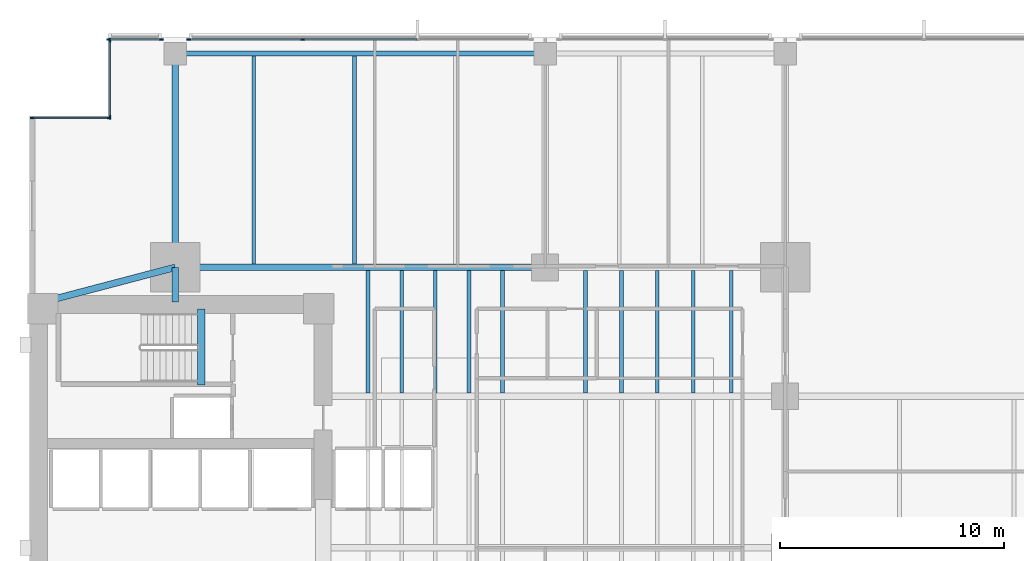
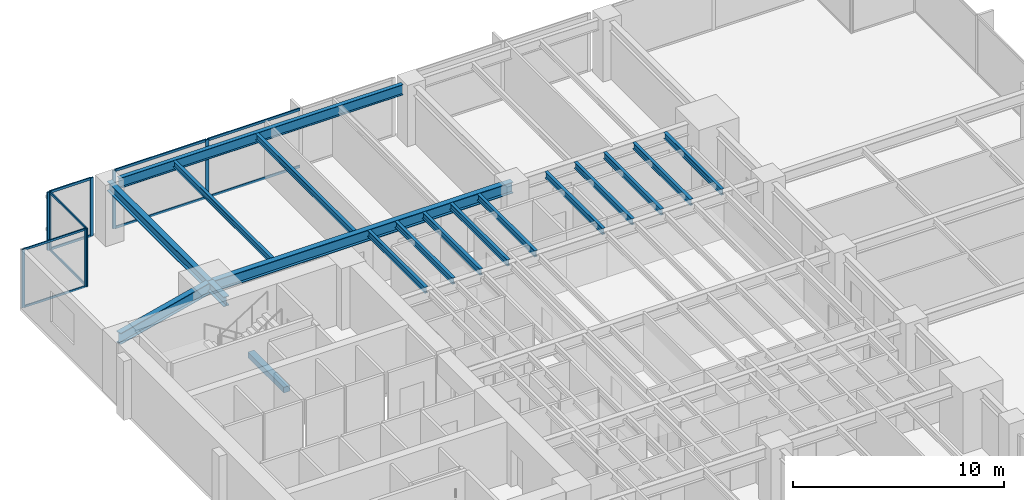
# One storey, part 5 of 15: 18 beams, 18 members, 4 elements without a shape of their own.
"""IFC4 building model written with IfcOpenShell, lengths in metres."""

from ifc_helpers import new_model, si_unit, direction, frame, origin, origin_2d, place, context, subcontext, project, spatial, rectangle, i_section, extrude, material, layer, layer_set, material_profile, profile_set, type_object, element, aggregate, save


model = new_model("IFC4")

# Units and contexts
model_context = context("Model", 3, precision=1e-05, world=origin(), true_north=direction((0.0, 1.0)))
body_context = subcontext(model_context, "Body", "Model", "MODEL_VIEW")
ifc_project = project(units=[si_unit("LENGTHUNIT", "METRE"), si_unit("AREAUNIT", "SQUARE_METRE"), si_unit("VOLUMEUNIT", "CUBIC_METRE"), si_unit("PLANEANGLEUNIT", "RADIAN"), si_unit("MASSUNIT", "GRAM", prefix="KILO")], contexts=[model_context])

# Site, building, storey
site_placement = place(None, origin())
site = spatial("IfcSite", under=ifc_project, at=site_placement, CompositionType="ELEMENT")
building_placement = place(site_placement, origin())
building = spatial("IfcBuilding", under=site, at=building_placement, Name="Kinhvarn Gate Tower", CompositionType="ELEMENT")
storey_placement = place(building_placement, frame((0.0, 0.0, 61.10009765625)))
storey = spatial("IfcBuildingStorey", under=building, at=storey_placement, Name="L15", CompositionType="ELEMENT", Elevation=61.10009765625)

# Beam
ifc_material_1 = material(Name="Concrete C50/60", Category="concrete")
ifc_material_profile_1 = material_profile(ifc_material_1, rectangle(XDim=0.340087890625, YDim=0.320068359375, at=origin_2d()), Name="RC 340x320")
ifc_profile_set_1 = profile_set([ifc_material_profile_1], Name="Concrete C50/60")
beam_type_1 = type_object("IfcBeamType", Name="BM-LND-500", PredefinedType="BEAM", material=ifc_profile_set_1)
beam_1_placement = place(storey_placement, frame((12.1650390625, 32.5, -0.16015625), z_axis=(0.0, 1.0, 0.0), x_axis=(-1.0, 0.0, 0.0)))
element("IfcBeam", 1, at=beam_1_placement, inside=storey, type_object=beam_type_1, Name="Stair ST2 Landing Nosing Beam (L15)", PredefinedType="BEAM", context=body_context, shape_type="SweptSolid", body=[
    extrude(rectangle(XDim=0.340087890625, YDim=0.320068359375, at=origin_2d()), origin(), (0.0, 0.0, 1.0), 3.39990234375),
])

# Curtain wall, members
ifc_material_2 = material(Name="Anodised aluminium AW-6063", Category="aluminium")
ifc_layer_1 = layer(ifc_material_2, 0.179931640625)
ifc_layer_set_1 = layer_set([ifc_layer_1], Name="Anodised aluminium AW-6063")
curtain_wall_type_1 = type_object("IfcCurtainWallType", Name="CW-SYS-4", PredefinedType="NOTDEFINED", material=ifc_layer_set_1)
curtain_wall_1_placement = place(storey_placement, origin())
curtain_wall_1 = element("IfcCurtainWall", 2, at=curtain_wall_1_placement, inside=storey, type_object=curtain_wall_type_1, Name="Curtain Wall CW4 (L15)", PredefinedType="NOTDEFINED")
ifc_material_profile_2 = material_profile(ifc_material_2, rectangle(XDim=0.06494140625, YDim=0.159912109375, at=origin_2d()), Name="ALU 65x160")
ifc_profile_set_2 = profile_set([ifc_material_profile_2], Name="Anodised aluminium AW-6063")
member_type_1 = type_object("IfcMemberType", Name="CW-MUL-160", PredefinedType="MULLION", material=ifc_profile_set_2)
member_1_placement = place(storey_placement, frame((8.090087890625, 47.87744140625, 0.0), z_axis=(0.0, 0.0, 1.0), x_axis=(1.0, 0.0, 0.0)))
member_1 = element("IfcMember", 3, at=member_1_placement, type_object=member_type_1, Name="CW4 mullion 1", PredefinedType="MULLION", context=body_context, shape_type="SweptSolid", body=[
    extrude(rectangle(XDim=0.06494140625, YDim=0.159912109375, at=origin_2d()), origin(), (0.0, 0.0, 1.0), 3.369873046875),
])
member_2_placement = place(storey_placement, frame((8.090087890625, 44.4423828125, 0.0), z_axis=(0.0, 0.0, 1.0), x_axis=(1.0, 0.0, 0.0)))
member_2 = element("IfcMember", 4, at=member_2_placement, type_object=member_type_1, Name="CW4 mullion 2", PredefinedType="MULLION", context=body_context, shape_type="SweptSolid", body=[
    extrude(rectangle(XDim=0.06494140625, YDim=0.159912109375, at=origin_2d()), origin(), (0.0, 0.0, 1.0), 3.369873046875),
])

curtain_wall_2_placement = place(storey_placement, origin())
curtain_wall_2 = element("IfcCurtainWall", 5, at=curtain_wall_2_placement, inside=storey, type_object=curtain_wall_type_1, Name="Curtain Wall CW4 (L15)", PredefinedType="NOTDEFINED")
member_3_placement = place(storey_placement, frame((8.0576171875, 44.409912109375, 0.0), z_axis=(0.0, 0.0, 1.0), x_axis=(0.0, -1.0, 0.0)))
member_3 = element("IfcMember", 6, at=member_3_placement, type_object=member_type_1, Name="CW4 mullion 1", PredefinedType="MULLION", context=body_context, shape_type="SweptSolid", body=[
    extrude(rectangle(XDim=0.06494140625, YDim=0.159912109375, at=origin_2d()), origin(), (0.0, 0.0, 1.0), 3.369873046875),
])
member_4_placement = place(storey_placement, frame((4.62255859375, 44.409912109375, 0.0), z_axis=(0.0, 0.0, 1.0), x_axis=(0.0, -1.0, 0.0)))
member_4 = element("IfcMember", 7, at=member_4_placement, type_object=member_type_1, Name="CW4 mullion 2", PredefinedType="MULLION", context=body_context, shape_type="SweptSolid", body=[
    extrude(rectangle(XDim=0.06494140625, YDim=0.159912109375, at=origin_2d()), origin(), (0.0, 0.0, 1.0), 3.369873046875),
])

ifc_layer_2 = layer(ifc_material_2, 0.179931640625)
ifc_layer_set_2 = layer_set([ifc_layer_2], Name="Anodised aluminium AW-6063")
curtain_wall_type_2 = type_object("IfcCurtainWallType", Name="CW-SYS-2", PredefinedType="NOTDEFINED", material=ifc_layer_set_2)
curtain_wall_3_placement = place(storey_placement, origin())
curtain_wall_3 = element("IfcCurtainWall", 8, at=curtain_wall_3_placement, inside=storey, type_object=curtain_wall_type_2, Name="Curtain Wall CW2 (L15)", PredefinedType="NOTDEFINED")
ifc_material_profile_3 = material_profile(ifc_material_2, rectangle(XDim=0.070068359375, YDim=0.179931640625, at=origin_2d()), Name="ALU 70x180")
ifc_profile_set_3 = profile_set([ifc_material_profile_3], Name="Anodised aluminium AW-6063")
member_type_2 = type_object("IfcMemberType", Name="CW-MUL-180", PredefinedType="MULLION", material=ifc_profile_set_3)
member_5_placement = place(storey_placement, frame((16.693359375, 47.909912109375, 0.0), z_axis=(0.0, 0.0, 1.0), x_axis=(0.0, -1.0, 0.0)))
member_5 = element("IfcMember", 9, at=member_5_placement, type_object=member_type_2, Name="CW2 mullion 3", PredefinedType="MULLION", context=body_context, shape_type="SweptSolid", body=[
    extrude(rectangle(XDim=0.070068359375, YDim=0.179931640625, at=origin_2d()), origin(), (0.0, 0.0, 1.0), 3.369873046875),
])
member_6_placement = place(storey_placement, frame((11.614990234375, 47.909912109375, 0.0), z_axis=(0.0, 0.0, 1.0), x_axis=(0.0, -1.0, 0.0)))
member_6 = element("IfcMember", 10, at=member_6_placement, type_object=member_type_2, Name="CW2 mullion 4", PredefinedType="MULLION", context=body_context, shape_type="SweptSolid", body=[
    extrude(rectangle(XDim=0.070068359375, YDim=0.179931640625, at=origin_2d()), origin(), (0.0, 0.0, 1.0), 3.369873046875),
])

curtain_wall_4_placement = place(storey_placement, origin())
curtain_wall_4 = element("IfcCurtainWall", 11, at=curtain_wall_4_placement, inside=storey, type_object=curtain_wall_type_2, Name="Curtain Wall CW2 (L15)", PredefinedType="NOTDEFINED")
member_7_placement = place(storey_placement, frame((10.385009765625, 47.909912109375, 0.0), z_axis=(0.0, 0.0, 1.0), x_axis=(0.0, -1.0, 0.0)))
member_7 = element("IfcMember", 12, at=member_7_placement, type_object=member_type_2, Name="CW2 mullion 1", PredefinedType="MULLION", context=body_context, shape_type="SweptSolid", body=[
    extrude(rectangle(XDim=0.070068359375, YDim=0.179931640625, at=origin_2d()), origin(), (0.0, 0.0, 1.0), 3.369873046875),
])
member_8_placement = place(storey_placement, frame((8.034912109375, 47.909912109375, 0.0), z_axis=(0.0, 0.0, 1.0), x_axis=(0.0, -1.0, 0.0)))
member_8 = element("IfcMember", 13, at=member_8_placement, type_object=member_type_2, Name="CW2 mullion 2", PredefinedType="MULLION", context=body_context, shape_type="SweptSolid", body=[
    extrude(rectangle(XDim=0.070068359375, YDim=0.179931640625, at=origin_2d()), origin(), (0.0, 0.0, 1.0), 3.369873046875),
])

# Member
ifc_material_profile_4 = material_profile(ifc_material_2, rectangle(XDim=0.06494140625, YDim=0.1201171875, at=origin_2d()), Name="ALU 65x120")
ifc_profile_set_4 = profile_set([ifc_material_profile_4], Name="Anodised aluminium AW-6063")
member_type_3 = type_object("IfcMemberType", Name="CW-TRN-120", PredefinedType="USERDEFINED", material=ifc_profile_set_4)
member_9_placement = place(storey_placement, frame((8.090087890625, 47.844970703125, 0.032470703125), z_axis=(0.0, -1.0, 0.0), x_axis=(1.0, 0.0, 0.0)))
member_9 = element("IfcMember", 14, at=member_9_placement, type_object=member_type_3, Name="CW4 transom 1.1", ObjectType="TRANSOM", PredefinedType="USERDEFINED", context=body_context, shape_type="SweptSolid", body=[
    extrude(rectangle(XDim=0.06494140625, YDim=0.1201171875, at=origin_2d()), origin(), (0.0, 0.0, 1.0), 3.369873046875),
])

member_10_placement = place(storey_placement, frame((8.090087890625, 47.844970703125, 3.33740234375), z_axis=(0.0, -1.0, 0.0), x_axis=(1.0, 0.0, 0.0)))
member_10 = element("IfcMember", 15, at=member_10_placement, type_object=member_type_3, Name="CW4 transom 1.2", ObjectType="TRANSOM", PredefinedType="USERDEFINED", context=body_context, shape_type="SweptSolid", body=[
    extrude(rectangle(XDim=0.06494140625, YDim=0.1201171875, at=origin_2d()), origin(), (0.0, 0.0, 1.0), 3.369873046875),
])

aggregate(curtain_wall_1, [member_1, member_2, member_9, member_10])

member_11_placement = place(storey_placement, frame((8.02490234375, 44.409912109375, 0.032470703125), z_axis=(-1.0, 0.0, 0.0), x_axis=(0.0, -1.0, 0.0)))
member_11 = element("IfcMember", 16, at=member_11_placement, type_object=member_type_3, Name="CW4 transom 1.1", ObjectType="TRANSOM", PredefinedType="USERDEFINED", context=body_context, shape_type="SweptSolid", body=[
    extrude(rectangle(XDim=0.06494140625, YDim=0.1201171875, at=origin_2d()), origin(), (0.0, 0.0, 1.0), 3.369873046875),
])

member_12_placement = place(storey_placement, frame((8.02490234375, 44.409912109375, 3.33740234375), z_axis=(-1.0, 0.0, 0.0), x_axis=(0.0, -1.0, 0.0)))
member_12 = element("IfcMember", 17, at=member_12_placement, type_object=member_type_3, Name="CW4 transom 1.2", ObjectType="TRANSOM", PredefinedType="USERDEFINED", context=body_context, shape_type="SweptSolid", body=[
    extrude(rectangle(XDim=0.06494140625, YDim=0.1201171875, at=origin_2d()), origin(), (0.0, 0.0, 1.0), 3.369873046875),
])

aggregate(curtain_wall_2, [member_3, member_4, member_11, member_12])

ifc_material_profile_5 = material_profile(ifc_material_2, rectangle(XDim=0.070068359375, YDim=0.139892578125, at=origin_2d()), Name="ALU 70x140")
ifc_profile_set_5 = profile_set([ifc_material_profile_5], Name="Anodised aluminium AW-6063")
member_type_4 = type_object("IfcMemberType", Name="CW-TRN-140", PredefinedType="USERDEFINED", material=ifc_profile_set_5)
member_13_placement = place(storey_placement, frame((21.771728515625, 47.909912109375, 0.034912109375), z_axis=(-1.0, 0.0, 0.0), x_axis=(0.0, -1.0, 0.0)))
member_13 = element("IfcMember", 18, at=member_13_placement, type_object=member_type_4, Name="CW2 transom 2.1", ObjectType="TRANSOM", PredefinedType="USERDEFINED", context=body_context, shape_type="SweptSolid", body=[
    extrude(rectangle(XDim=0.070068359375, YDim=0.139892578125, at=origin_2d()), origin(), (0.0, 0.0, 1.0), 5.04345703125),
])

member_14_placement = place(storey_placement, frame((21.771728515625, 47.909912109375, 3.3349609375), z_axis=(-1.0, 0.0, 0.0), x_axis=(0.0, -1.0, 0.0)))
member_14 = element("IfcMember", 19, at=member_14_placement, type_object=member_type_4, Name="CW2 transom 2.2", ObjectType="TRANSOM", PredefinedType="USERDEFINED", context=body_context, shape_type="SweptSolid", body=[
    extrude(rectangle(XDim=0.070068359375, YDim=0.139892578125, at=origin_2d()), origin(), (0.0, 0.0, 1.0), 5.04345703125),
])

member_15_placement = place(storey_placement, frame((16.658447265625, 47.909912109375, 0.034912109375), z_axis=(-1.0, 0.0, 0.0), x_axis=(0.0, -1.0, 0.0)))
member_15 = element("IfcMember", 20, at=member_15_placement, type_object=member_type_4, Name="CW2 transom 3.1", ObjectType="TRANSOM", PredefinedType="USERDEFINED", context=body_context, shape_type="SweptSolid", body=[
    extrude(rectangle(XDim=0.070068359375, YDim=0.139892578125, at=origin_2d()), origin(), (0.0, 0.0, 1.0), 5.008544921875),
])

member_16_placement = place(storey_placement, frame((16.658447265625, 47.909912109375, 3.3349609375), z_axis=(-1.0, 0.0, 0.0), x_axis=(0.0, -1.0, 0.0)))
member_16 = element("IfcMember", 21, at=member_16_placement, type_object=member_type_4, Name="CW2 transom 3.2", ObjectType="TRANSOM", PredefinedType="USERDEFINED", context=body_context, shape_type="SweptSolid", body=[
    extrude(rectangle(XDim=0.070068359375, YDim=0.139892578125, at=origin_2d()), origin(), (0.0, 0.0, 1.0), 5.008544921875),
])

aggregate(curtain_wall_3, [member_5, member_6, member_13, member_14, member_15, member_16])

member_17_placement = place(storey_placement, frame((10.35009765625, 47.909912109375, 0.034912109375), z_axis=(-1.0, 0.0, 0.0), x_axis=(0.0, -1.0, 0.0)))
member_17 = element("IfcMember", 22, at=member_17_placement, type_object=member_type_4, Name="CW2 transom 1.1", ObjectType="TRANSOM", PredefinedType="USERDEFINED", context=body_context, shape_type="SweptSolid", body=[
    extrude(rectangle(XDim=0.070068359375, YDim=0.139892578125, at=origin_2d()), origin(), (0.0, 0.0, 1.0), 2.280029296875),
])

member_18_placement = place(storey_placement, frame((10.35009765625, 47.909912109375, 3.3349609375), z_axis=(-1.0, 0.0, 0.0), x_axis=(0.0, -1.0, 0.0)))
member_18 = element("IfcMember", 23, at=member_18_placement, type_object=member_type_4, Name="CW2 transom 1.2", ObjectType="TRANSOM", PredefinedType="USERDEFINED", context=body_context, shape_type="SweptSolid", body=[
    extrude(rectangle(XDim=0.070068359375, YDim=0.139892578125, at=origin_2d()), origin(), (0.0, 0.0, 1.0), 2.280029296875),
])

aggregate(curtain_wall_4, [member_7, member_8, member_17, member_18])

# Beams
ifc_material_3 = material(Name="Steel S355", Category="steel")
ifc_material_profile_6 = material_profile(ifc_material_3, i_section(OverallWidth=0.300048828125, OverallDepth=0.550048828125, WebThickness=0.014892578125, FlangeThickness=0.029052734375, at=origin_2d()), Name="HEB 550")
ifc_profile_set_6 = profile_set([ifc_material_profile_6], Name="Steel S355")
beam_type_2 = type_object("IfcBeamType", Name="STL-HEB550", PredefinedType="BEAM", material=ifc_profile_set_6)
beam_2_placement = place(storey_placement, frame((11.0, 36.199951171875, 3.094970703125), z_axis=(0.0, 1.0, 0.0), x_axis=(-1.0, 0.0, 0.0)))
element("IfcBeam", 24, at=beam_2_placement, inside=storey, type_object=beam_type_2, Name="Floor Beam PG-15 (L15 MCW-CN)", PredefinedType="BEAM", context=body_context, shape_type="SweptSolid", body=[
    extrude(i_section(OverallWidth=0.300048828125, OverallDepth=0.550048828125, WebThickness=0.014892578125, FlangeThickness=0.029052734375, at=origin_2d()), origin(), (0.0, 0.0, 1.0), 1.550048828125),
])
beam_3_placement = place(storey_placement, frame((11.0, 37.75, 3.094970703125), z_axis=(0.0, 1.0, 0.0), x_axis=(-1.0, 0.0, 0.0)))
element("IfcBeam", 25, at=beam_3_placement, inside=storey, type_object=beam_type_2, Name="Floor Beam PG-15 (L15 MCW-N)", PredefinedType="BEAM", context=body_context, shape_type="SweptSolid", body=[
    extrude(i_section(OverallWidth=0.300048828125, OverallDepth=0.550048828125, WebThickness=0.014892578125, FlangeThickness=0.029052734375, at=origin_2d()), origin(), (0.0, 0.0, 1.0), 9.530029296875),
])
ifc_material_profile_7 = material_profile(ifc_material_3, i_section(OverallWidth=0.300048828125, OverallDepth=0.64990234375, WebThickness=0.01611328125, FlangeThickness=0.031005859375, at=origin_2d()), Name="HEB 650")
ifc_profile_set_7 = profile_set([ifc_material_profile_7], Name="Steel S355")
beam_type_3 = type_object("IfcBeamType", Name="STL-HEB650", PredefinedType="BEAM", material=ifc_profile_set_7)
beam_4_placement = place(storey_placement, frame((11.0, 37.75, 3.044921875), z_axis=(1.0, 0.0, 0.0), x_axis=(0.0, 1.0, 0.0)))
element("IfcBeam", 26, at=beam_4_placement, inside=storey, type_object=beam_type_3, Name="Floor Beam PG-17 (L15 MG-N1)", PredefinedType="BEAM", context=body_context, shape_type="SweptSolid", body=[
    extrude(i_section(OverallWidth=0.300048828125, OverallDepth=0.64990234375, WebThickness=0.01611328125, FlangeThickness=0.031005859375, at=origin_2d()), origin(), (0.0, 0.0, 1.0), 16.5),
])
beam_5_placement = place(storey_placement, frame((5.10009765625, 36.199951171875, 3.044921875), z_axis=(0.967177623957, 0.254101246979, 0.0), x_axis=(-0.254101246979, 0.967177623957, 0.0)))
element("IfcBeam", 27, at=beam_5_placement, inside=storey, type_object=beam_type_3, Name="Floor Beam PG-17 (L15 MG-NW-DIAG)", PredefinedType="BEAM", context=body_context, shape_type="SweptSolid", body=[
    extrude(i_section(OverallWidth=0.300048828125, OverallDepth=0.64990234375, WebThickness=0.01611328125, FlangeThickness=0.031005859375, at=origin_2d()), origin(), (0.0, 0.0, 1.0), 6.10009765625),
])
ifc_material_profile_8 = material_profile(ifc_material_3, i_section(OverallWidth=0.169921875, OverallDepth=0.360107421875, WebThickness=0.008056640625, FlangeThickness=0.0126953125, at=origin_2d()), Name="IPE 360")
ifc_profile_set_8 = profile_set([ifc_material_profile_8], Name="Steel S355")
beam_type_4 = type_object("IfcBeamType", Name="STL-IPE360", PredefinedType="JOIST", material=ifc_profile_set_8)
for number, where, z_axis, x_axis, name in (
    (28, (19.60009765625, 32.14990234375, 3.18994140625), (0.0, 1.0, 0.0), (-1.0, 0.0, 0.0), "Floor Joist SB-04 (L15 JC-X196-3)"),
    (29, (21.10009765625, 32.14990234375, 3.18994140625), (0.0, 1.0, 0.0), (-1.0, 0.0, 0.0), "Floor Joist SB-04 (L15 JC-X211-3)"),
    (30, (22.60009765625, 32.14990234375, 3.18994140625), (0.0, 1.0, 0.0), (-1.0, 0.0, 0.0), "Floor Joist SB-04 (L15 JC-X226-3)"),
    (31, (24.10009765625, 32.14990234375, 3.18994140625), (0.0, 1.0, 0.0), (-1.0, 0.0, 0.0), "Floor Joist SB-04 (L15 JC-X241-3)"),
    (32, (25.60009765625, 32.14990234375, 3.18994140625), (0.0, 1.0, 0.0), (-1.0, 0.0, 0.0), "Floor Joist SB-04 (L15 JC-X256-3)"),
    (33, (29.300048828125, 32.14990234375, 3.18994140625), (0.0, 1.0, 0.0), (-1.0, 0.0, 0.0), "Floor Joist SB-04 (L15 JC-X293-3)"),
    (34, (30.89990234375, 32.14990234375, 3.18994140625), (0.0, 1.0, 0.0), (-1.0, 0.0, 0.0), "Floor Joist SB-04 (L15 JC-X309-3)"),
    (35, (32.5, 32.14990234375, 3.18994140625), (0.0, 1.0, 0.0), (-1.0, 0.0, 0.0), "Floor Joist SB-04 (L15 JC-X325-3)"),
    (36, (34.10009765625, 32.14990234375, 3.18994140625), (0.0, 1.0, 0.0), (-1.0, 0.0, 0.0), "Floor Joist SB-04 (L15 JC-X341-3)"),
    (37, (35.800048828125, 32.14990234375, 3.18994140625), (0.0, 1.0, 0.0), (-1.0, 0.0, 0.0), "Floor Joist SB-04 (L15 JC-X358-3)"),
):
    element("IfcBeam", number, at=place(storey_placement, frame(where, z_axis=z_axis, x_axis=x_axis)), inside=storey, type_object=beam_type_4, Name=name, PredefinedType="JOIST", context=body_context, shape_type="SweptSolid", body=[
        extrude(i_section(OverallWidth=0.169921875, OverallDepth=0.360107421875, WebThickness=0.008056640625, FlangeThickness=0.0126953125, at=origin_2d()), origin(), (0.0, 0.0, 1.0), 5.4501953125),
    ])
for number, where, z_axis, x_axis, name in (
    (38, (14.5, 37.89990234375, 3.18994140625), (0.0, 1.0, 0.0), (-1.0, 0.0, 0.0), "Floor Joist SB-04 (L15 JN-X145)"),
    (39, (19.0, 37.89990234375, 3.18994140625), (0.0, 1.0, 0.0), (-1.0, 0.0, 0.0), "Floor Joist SB-04 (L15 JN-X190)"),
):
    element("IfcBeam", number, at=place(storey_placement, frame(where, z_axis=z_axis, x_axis=x_axis)), inside=storey, type_object=beam_type_4, Name=name, PredefinedType="JOIST", context=body_context, shape_type="SweptSolid", body=[
        extrude(i_section(OverallWidth=0.169921875, OverallDepth=0.360107421875, WebThickness=0.008056640625, FlangeThickness=0.0126953125, at=origin_2d()), origin(), (0.0, 0.0, 1.0), 9.27001953125),
    ])
ifc_material_profile_9 = material_profile(ifc_material_3, i_section(OverallWidth=0.219970703125, OverallDepth=0.60009765625, WebThickness=0.011962890625, FlangeThickness=0.01904296875, at=origin_2d()), Name="IPE 600")
ifc_profile_set_9 = profile_set([ifc_material_profile_9], Name="Steel S355")
beam_type_5 = type_object("IfcBeamType", Name="STL-IPE600", PredefinedType="SPANDREL", material=ifc_profile_set_9)
beam_6_placement = place(storey_placement, frame((11.485107421875, 47.280029296875, 3.06982421875), z_axis=(1.0, 0.0, 0.0), x_axis=(0.0, 1.0, 0.0)))
element("IfcBeam", 40, at=beam_6_placement, inside=storey, type_object=beam_type_5, Name="Floor Spandrel SB-09 (L15 SP-N1)", PredefinedType="SPANDREL", context=body_context, shape_type="SweptSolid", body=[
    extrude(i_section(OverallWidth=0.219970703125, OverallDepth=0.60009765625, WebThickness=0.011962890625, FlangeThickness=0.01904296875, at=origin_2d()), origin(), (0.0, 0.0, 1.0), 15.52978515625),
])

save(model, "model.ifc")
